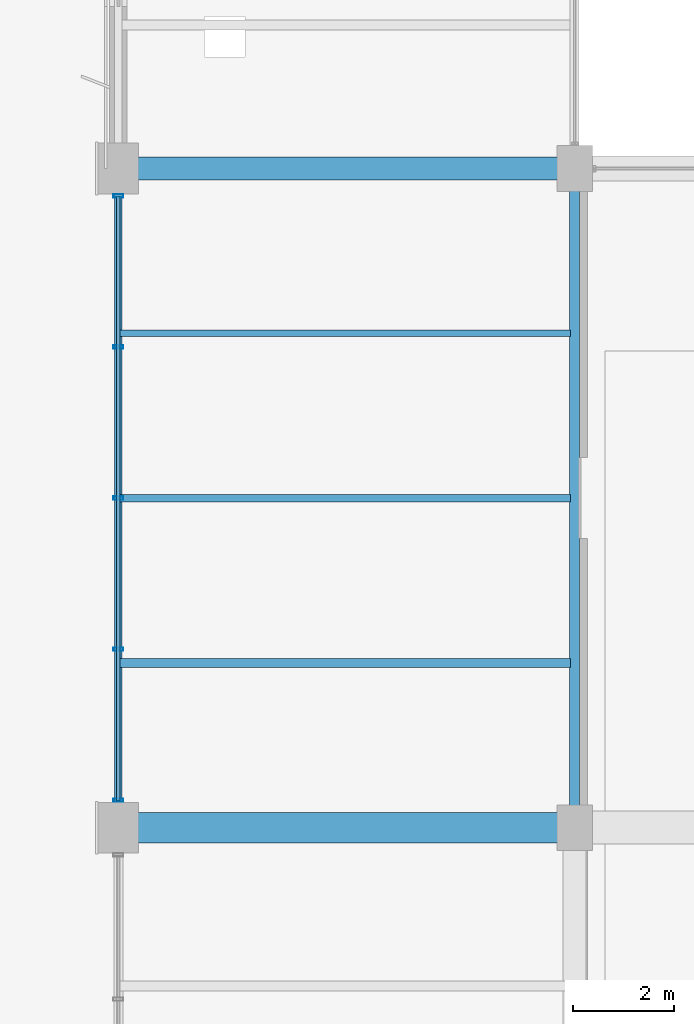
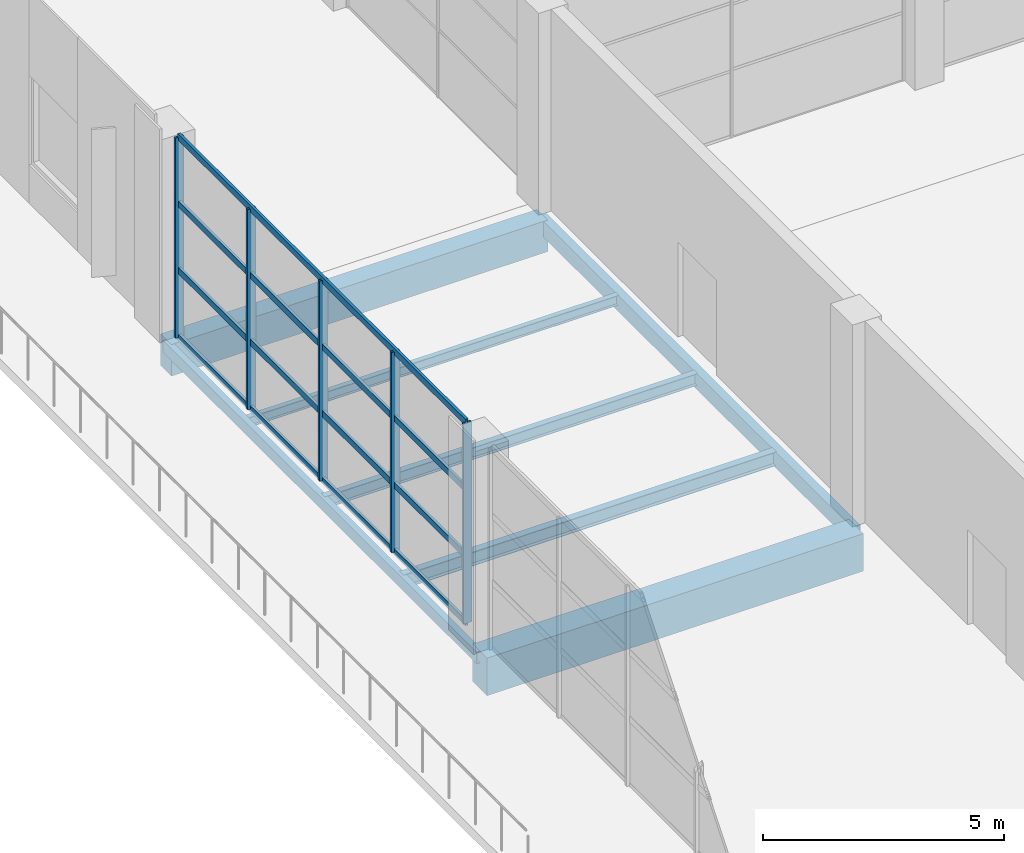
# One storey, part 43 of 90: 9 members, 7 beams, 1 element without a shape of its own.
"""IFC4 building model written with IfcOpenShell, lengths in metres."""

from ifc_helpers import new_model, si_unit, direction, frame, origin, origin_2d, place, context, subcontext, project, spatial, rectangle, hollow_rectangle, i_section, extrude, material, material_profile, profile_set, type_object, element, aggregate, save


model = new_model("IFC4")

# Units and contexts
model_context = context("Model", 3, precision=1e-05, world=origin(), true_north=direction((0.0, 1.0)))
body_context = subcontext(model_context, "Body", "Model", "MODEL_VIEW")
ifc_project = project(units=[si_unit("LENGTHUNIT", "METRE"), si_unit("AREAUNIT", "SQUARE_METRE"), si_unit("VOLUMEUNIT", "CUBIC_METRE"), si_unit("PLANEANGLEUNIT", "RADIAN"), si_unit("MASSUNIT", "GRAM", prefix="KILO")], contexts=[model_context])

# Site, building, storey
site_placement = place(None, origin())
site = spatial("IfcSite", under=ifc_project, at=site_placement, CompositionType="ELEMENT")
building_placement = place(site_placement, origin())
building = spatial("IfcBuilding", under=site, at=building_placement, Name="Solvikara Media Centre", CompositionType="ELEMENT")
storey_placement = place(building_placement, origin())
storey = spatial("IfcBuildingStorey", under=building, at=storey_placement, Name="L00", CompositionType="ELEMENT", Elevation=0.0)

# Beams
ifc_material_1 = material(Name="Concrete fc' 35 MPa (C35/45)", Category="concrete")
ifc_material_profile_1 = material_profile(ifc_material_1, rectangle(XDim=0.449951171875, YDim=0.800048828125, at=origin_2d()), Name="RC 450x800")
ifc_profile_set_1 = profile_set([ifc_material_profile_1], Name="Concrete fc' 35 MPa (C35/45)")
beam_type_1 = type_object("IfcBeamType", Name="BM-06", PredefinedType="BEAM", material=ifc_profile_set_1)
beam_1_placement = place(storey_placement, frame((127.5, 72.0, -0.780029296875), z_axis=(1.0, 0.0, 0.0), x_axis=(0.0, 1.0, 0.0)))
element("IfcBeam", 1, at=beam_1_placement, inside=storey, type_object=beam_type_1, Name="B-L00-X0078", PredefinedType="BEAM", context=body_context, shape_type="SweptSolid", body=[
    extrude(rectangle(XDim=0.449951171875, YDim=0.800048828125, at=origin_2d()), origin(), (0.0, 0.0, 1.0), 9.0),
])
ifc_material_2 = material(Name="Concrete fc' 45 MPa (C45/55)", Category="concrete")
ifc_material_profile_2 = material_profile(ifc_material_2, rectangle(XDim=0.60009765625, YDim=0.949951171875, at=origin_2d()), Name="RC 600x950")
ifc_profile_set_2 = profile_set([ifc_material_profile_2], Name="Concrete fc' 45 MPa (C45/55)")
beam_type_2 = type_object("IfcBeamType", Name="BM-11", PredefinedType="BEAM", material=ifc_profile_set_2)
beam_2_placement = place(storey_placement, frame((127.5, 59.0, -0.85498046875), z_axis=(1.0, 0.0, 0.0), x_axis=(0.0, 1.0, 0.0)))
element("IfcBeam", 2, at=beam_2_placement, inside=storey, type_object=beam_type_2, Name="B-L00-X0071", PredefinedType="BEAM", context=body_context, shape_type="SweptSolid", body=[
    extrude(rectangle(XDim=0.60009765625, YDim=0.949951171875, at=origin_2d()), origin(), (0.0, 0.0, 1.0), 9.0),
])
ifc_material_3 = material(Name="Steel S355JR", Category="steel")
ifc_material_profile_3 = material_profile(ifc_material_3, i_section(OverallWidth=0.175048828125, OverallDepth=0.35009765625, WebThickness=0.007080078125, FlangeThickness=0.010986328125, at=origin_2d()), Name="WF 350x175x7x11")
ifc_profile_set_3 = profile_set([ifc_material_profile_3], Name="Steel S355JR")
beam_type_3 = type_object("IfcBeamType", Name="BM-22", PredefinedType="JOIST", material=ifc_profile_set_3)
beam_3_placement = place(storey_placement, frame((127.5, 62.25, -0.556884765625), z_axis=(1.0, 0.0, 0.0), x_axis=(0.0, 1.0, 0.0)))
element("IfcBeam", 3, at=beam_3_placement, inside=storey, type_object=beam_type_3, Name="J-L00-0386", PredefinedType="JOIST", context=body_context, shape_type="SweptSolid", body=[
    extrude(i_section(OverallWidth=0.175048828125, OverallDepth=0.35009765625, WebThickness=0.007080078125, FlangeThickness=0.010986328125, at=origin_2d()), origin(), (0.0, 0.0, 1.0), 8.922119140625),
])
ifc_material_profile_4 = material_profile(ifc_material_3, i_section(OverallWidth=0.14990234375, OverallDepth=0.300048828125, WebThickness=0.006591796875, FlangeThickness=0.009033203125, at=origin_2d()), Name="WF 300x150x6.5x9")
ifc_profile_set_4 = profile_set([ifc_material_profile_4], Name="Steel S355JR")
beam_type_4 = type_object("IfcBeamType", Name="BM-23", PredefinedType="JOIST", material=ifc_profile_set_4)
beam_4_placement = place(storey_placement, frame((127.5, 65.5, -0.531982421875), z_axis=(1.0, 0.0, 0.0), x_axis=(0.0, 1.0, 0.0)))
element("IfcBeam", 4, at=beam_4_placement, inside=storey, type_object=beam_type_4, Name="J-L00-0387", PredefinedType="JOIST", context=body_context, shape_type="SweptSolid", body=[
    extrude(i_section(OverallWidth=0.14990234375, OverallDepth=0.300048828125, WebThickness=0.006591796875, FlangeThickness=0.009033203125, at=origin_2d()), origin(), (0.0, 0.0, 1.0), 8.922119140625),
])
ifc_material_profile_5 = material_profile(ifc_material_3, i_section(OverallWidth=0.125, OverallDepth=0.25, WebThickness=0.006103515625, FlangeThickness=0.009033203125, at=origin_2d()), Name="WF 250x125x6x9")
ifc_profile_set_5 = profile_set([ifc_material_profile_5], Name="Steel S355JR")
beam_type_5 = type_object("IfcBeamType", Name="BM-24", PredefinedType="JOIST", material=ifc_profile_set_5)
beam_5_placement = place(storey_placement, frame((127.5, 68.75, -0.507080078125), z_axis=(1.0, 0.0, 0.0), x_axis=(0.0, 1.0, 0.0)))
element("IfcBeam", 5, at=beam_5_placement, inside=storey, type_object=beam_type_5, Name="J-L00-0388", PredefinedType="JOIST", context=body_context, shape_type="SweptSolid", body=[
    extrude(i_section(OverallWidth=0.125, OverallDepth=0.25, WebThickness=0.006103515625, FlangeThickness=0.009033203125, at=origin_2d()), origin(), (0.0, 0.0, 1.0), 8.922119140625),
])
ifc_material_profile_6 = material_profile(ifc_material_3, hollow_rectangle(XDim=0.199951171875, YDim=0.39990234375, WallThickness=0.011962890625, at=origin_2d()), Name="RHS 400x200x12")
ifc_profile_set_6 = profile_set([ifc_material_profile_6], Name="Steel S355JR")
beam_type_6 = type_object("IfcBeamType", Name="BM-33", PredefinedType="SPANDREL", material=ifc_profile_set_6)
beam_6_placement = place(storey_placement, frame((136.5, 59.0, -0.58203125), z_axis=(0.0, 1.0, 0.0), x_axis=(-1.0, 0.0, 0.0)))
element("IfcBeam", 6, at=beam_6_placement, inside=storey, type_object=beam_type_6, Name="B-L00-Y0207", PredefinedType="SPANDREL", context=body_context, shape_type="SweptSolid", body=[
    extrude(hollow_rectangle(XDim=0.199951171875, YDim=0.39990234375, WallThickness=0.011962890625, at=origin_2d()), origin(), (0.0, 0.0, 1.0), 13.0),
])
ifc_material_profile_7 = material_profile(ifc_material_3, hollow_rectangle(XDim=0.14990234375, YDim=0.300048828125, WallThickness=0.010009765625, at=origin_2d()), Name="RHS 300x150x10")
ifc_profile_set_7 = profile_set([ifc_material_profile_7], Name="Steel S355JR")
beam_type_7 = type_object("IfcBeamType", Name="BM-35", PredefinedType="BEAM", material=ifc_profile_set_7)
beam_7_placement = place(storey_placement, frame((127.5, 59.0, -0.531982421875), z_axis=(0.0, 1.0, 0.0), x_axis=(-1.0, 0.0, 0.0)))
element("IfcBeam", 7, at=beam_7_placement, inside=storey, type_object=beam_type_7, Name="B-L00-Y0197", PredefinedType="BEAM", context=body_context, shape_type="SweptSolid", body=[
    extrude(hollow_rectangle(XDim=0.14990234375, YDim=0.300048828125, WallThickness=0.010009765625, at=origin_2d()), origin(), (0.0, 0.0, 1.0), 13.0),
])

# Curtain wall, members
ifc_material_4 = material(Name="Anodised aluminium EN AW-6063", Category="aluminium")
curtain_wall_type = type_object("IfcCurtainWallType", Name="CW-11", PredefinedType="NOTDEFINED", material=ifc_material_4)
curtain_wall_placement = place(storey_placement, origin())
curtain_wall = element("IfcCurtainWall", 8, at=curtain_wall_placement, inside=storey, type_object=curtain_wall_type, Name="CW-L00-V2W-1-S2", PredefinedType="NOTDEFINED")
ifc_material_profile_8 = material_profile(ifc_material_4, hollow_rectangle(XDim=0.06494140625, YDim=0.199951171875, WallThickness=0.00390625, at=origin_2d()), Name="ALU-M 65x200x4")
ifc_profile_set_8 = profile_set([ifc_material_profile_8], Name="Anodised aluminium EN AW-6063")
member_type_1 = type_object("IfcMemberType", Name="MF-02", PredefinedType="MULLION", material=ifc_profile_set_8)
member_1_placement = place(storey_placement, frame((127.5, 59.5400390625, 0.02001953125), z_axis=(0.0, 0.0, 1.0), x_axis=(0.0, 1.0, 0.0)))
member_1 = element("IfcMember", 9, at=member_1_placement, type_object=member_type_1, Name="CW-L00-V2W-1-S2-M00", PredefinedType="MULLION", context=body_context, shape_type="SweptSolid", body=[
    extrude(hollow_rectangle(XDim=0.06494140625, YDim=0.199951171875, WallThickness=0.00390625, at=origin_2d()), origin(), (0.0, 0.0, 1.0), 5.06005859375),
])
member_2_placement = place(storey_placement, frame((127.5, 62.52001953125, 0.02001953125), z_axis=(0.0, 0.0, 1.0), x_axis=(0.0, 1.0, 0.0)))
member_2 = element("IfcMember", 10, at=member_2_placement, type_object=member_type_1, Name="CW-L00-V2W-1-S2-M01", PredefinedType="MULLION", context=body_context, shape_type="SweptSolid", body=[
    extrude(hollow_rectangle(XDim=0.06494140625, YDim=0.199951171875, WallThickness=0.00390625, at=origin_2d()), origin(), (0.0, 0.0, 1.0), 5.06005859375),
])
member_3_placement = place(storey_placement, frame((127.5, 65.5, 0.02001953125), z_axis=(0.0, 0.0, 1.0), x_axis=(0.0, 1.0, 0.0)))
member_3 = element("IfcMember", 11, at=member_3_placement, type_object=member_type_1, Name="CW-L00-V2W-1-S2-M02", PredefinedType="MULLION", context=body_context, shape_type="SweptSolid", body=[
    extrude(hollow_rectangle(XDim=0.06494140625, YDim=0.199951171875, WallThickness=0.00390625, at=origin_2d()), origin(), (0.0, 0.0, 1.0), 5.06005859375),
])
member_4_placement = place(storey_placement, frame((127.5, 68.47998046875, 0.02001953125), z_axis=(0.0, 0.0, 1.0), x_axis=(0.0, 1.0, 0.0)))
member_4 = element("IfcMember", 12, at=member_4_placement, type_object=member_type_1, Name="CW-L00-V2W-1-S2-M03", PredefinedType="MULLION", context=body_context, shape_type="SweptSolid", body=[
    extrude(hollow_rectangle(XDim=0.06494140625, YDim=0.199951171875, WallThickness=0.00390625, at=origin_2d()), origin(), (0.0, 0.0, 1.0), 5.06005859375),
])
member_5_placement = place(storey_placement, frame((127.5, 71.4599609375, 0.02001953125), z_axis=(0.0, 0.0, 1.0), x_axis=(0.0, 1.0, 0.0)))
member_5 = element("IfcMember", 13, at=member_5_placement, type_object=member_type_1, Name="CW-L00-V2W-1-S2-M04", PredefinedType="MULLION", context=body_context, shape_type="SweptSolid", body=[
    extrude(hollow_rectangle(XDim=0.06494140625, YDim=0.199951171875, WallThickness=0.00390625, at=origin_2d()), origin(), (0.0, 0.0, 1.0), 5.06005859375),
])
ifc_material_profile_9 = material_profile(ifc_material_4, hollow_rectangle(XDim=0.06494140625, YDim=0.159912109375, WallThickness=0.00341796875, at=origin_2d()), Name="ALU-T 65x160x3.5")
ifc_profile_set_9 = profile_set([ifc_material_profile_9], Name="Anodised aluminium EN AW-6063")
member_type_2 = type_object("IfcMemberType", Name="MF-08", PredefinedType="USERDEFINED", material=ifc_profile_set_9)
member_6_placement = place(storey_placement, frame((127.5, 59.5400390625, 0.02001953125), z_axis=(0.0, 1.0, 0.0), x_axis=(-1.0, 0.0, 0.0)))
member_6 = element("IfcMember", 14, at=member_6_placement, type_object=member_type_2, Name="CW-L00-V2W-1-S2-T00", ObjectType="TRANSOM", PredefinedType="USERDEFINED", context=body_context, shape_type="SweptSolid", body=[
    extrude(hollow_rectangle(XDim=0.06494140625, YDim=0.159912109375, WallThickness=0.00341796875, at=origin_2d()), origin(), (0.0, 0.0, 1.0), 11.919921875),
])
member_7_placement = place(storey_placement, frame((127.5, 59.5400390625, 1.70703125), z_axis=(0.0, 1.0, 0.0), x_axis=(-1.0, 0.0, 0.0)))
member_7 = element("IfcMember", 15, at=member_7_placement, type_object=member_type_2, Name="CW-L00-V2W-1-S2-T01", ObjectType="TRANSOM", PredefinedType="USERDEFINED", context=body_context, shape_type="SweptSolid", body=[
    extrude(hollow_rectangle(XDim=0.06494140625, YDim=0.159912109375, WallThickness=0.00341796875, at=origin_2d()), origin(), (0.0, 0.0, 1.0), 11.919921875),
])
member_8_placement = place(storey_placement, frame((127.5, 59.5400390625, 3.39306640625), z_axis=(0.0, 1.0, 0.0), x_axis=(-1.0, 0.0, 0.0)))
member_8 = element("IfcMember", 16, at=member_8_placement, type_object=member_type_2, Name="CW-L00-V2W-1-S2-T02", ObjectType="TRANSOM", PredefinedType="USERDEFINED", context=body_context, shape_type="SweptSolid", body=[
    extrude(hollow_rectangle(XDim=0.06494140625, YDim=0.159912109375, WallThickness=0.00341796875, at=origin_2d()), origin(), (0.0, 0.0, 1.0), 11.919921875),
])
member_9_placement = place(storey_placement, frame((127.5, 59.5400390625, 5.080078125), z_axis=(0.0, 1.0, 0.0), x_axis=(-1.0, 0.0, 0.0)))
member_9 = element("IfcMember", 17, at=member_9_placement, type_object=member_type_2, Name="CW-L00-V2W-1-S2-T03", ObjectType="TRANSOM", PredefinedType="USERDEFINED", context=body_context, shape_type="SweptSolid", body=[
    extrude(hollow_rectangle(XDim=0.06494140625, YDim=0.159912109375, WallThickness=0.00341796875, at=origin_2d()), origin(), (0.0, 0.0, 1.0), 11.919921875),
])
aggregate(curtain_wall, [member_1, member_2, member_3, member_4, member_5, member_6, member_7, member_8, member_9])

save(model, "model.ifc")
